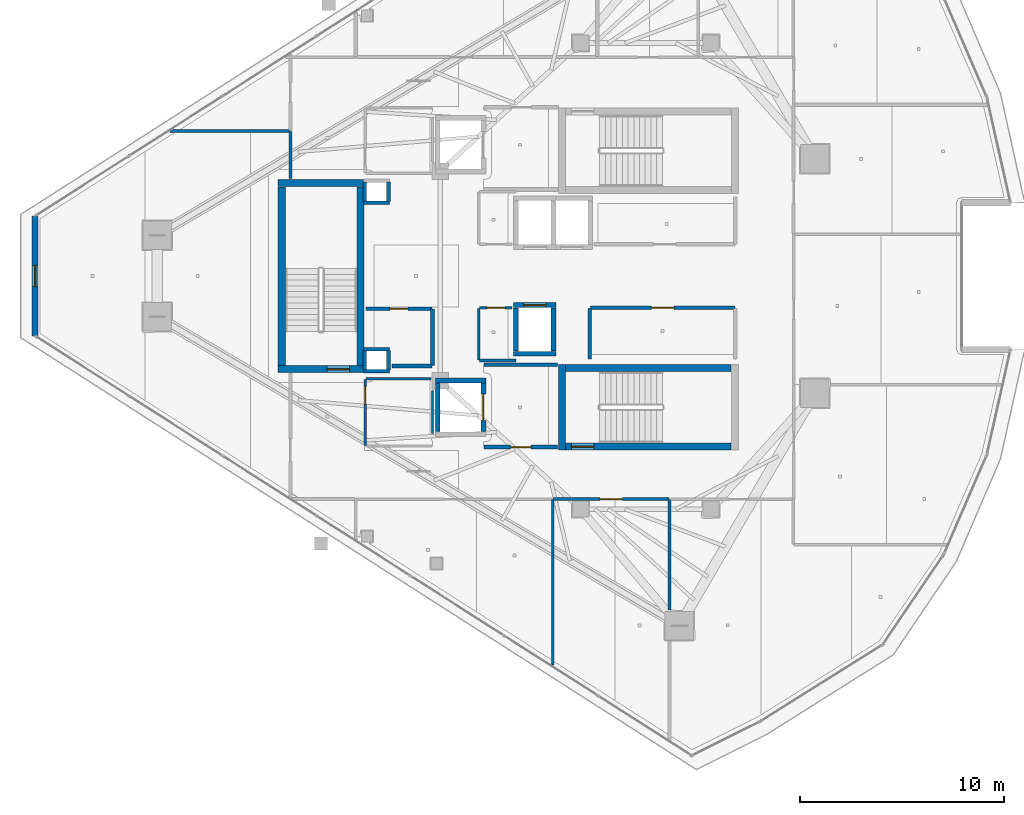
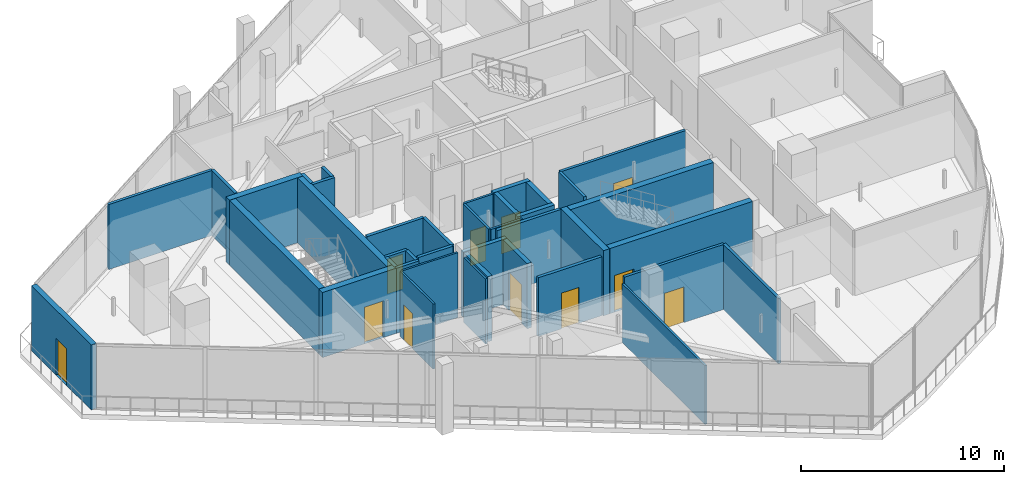
# One storey, part 21 of 30: 40 walls, 11 doors, 11 openings.
"""IFC4 building model written with IfcOpenShell, lengths in metres."""

from ifc_helpers import new_model, si_unit, direction, frame, frame_2d, origin, place, context, subcontext, project, spatial, rectangle, extrude, material, layer, layer_set, type_object, element, fill, save


model = new_model("IFC4")

# Units and contexts
model_context = context("Model", 3, precision=1e-05, world=origin(), true_north=direction((0.0, 1.0)))
body_context = subcontext(model_context, "Body", "Model", "MODEL_VIEW")
ifc_project = project(units=[si_unit("LENGTHUNIT", "METRE"), si_unit("AREAUNIT", "SQUARE_METRE"), si_unit("VOLUMEUNIT", "CUBIC_METRE"), si_unit("PLANEANGLEUNIT", "RADIAN"), si_unit("MASSUNIT", "GRAM", prefix="KILO")], contexts=[model_context])

# Site, building, storey
site_placement = place(None, origin())
site = spatial("IfcSite", under=ifc_project, at=site_placement, CompositionType="ELEMENT")
building_placement = place(site_placement, origin())
building = spatial("IfcBuilding", under=site, at=building_placement, Name="Qorvath Tower", CompositionType="ELEMENT")
storey_placement = place(building_placement, frame((0.0, 0.0, 289.199951171875)))
storey = spatial("IfcBuildingStorey", under=building, at=storey_placement, Name="L67", CompositionType="ELEMENT", Elevation=289.199951171875)

# Walls
ifc_material_1 = material(Name="Gypsum shaftliner on steel studs", Category="steel")
ifc_layer_1 = layer(ifc_material_1, 0.179931640625)
ifc_layer_set_1 = layer_set([ifc_layer_1], Name="FW-LOBBY")
wall_type_1 = type_object("IfcWallType", Name="FW-LOBBY", PredefinedType="PARTITIONING", material=ifc_layer_set_1)
wall_1_placement = place(storey_placement, frame((-32.989990234375, 3.594970703125, 0.0), z_axis=(0.0, 0.0, 1.0), x_axis=(-1.0, 0.0, 0.0)))
element("IfcWall", 1, at=wall_1_placement, inside=storey, type_object=wall_type_1, Name="MEP Riser Shaft Enclosure Wall N-L67-S", PredefinedType="PARTITIONING", context=body_context, shape_type="SweptSolid", body=[
    extrude(rectangle(XDim=1.27001953125, YDim=0.179931640625, at=frame_2d((0.635009765625, 0.0))), origin(), (0.0, 0.0, 1.0), 3.91015625),
])
for number, where, z_axis, x_axis, name in (
    (2, (-34.205078125, 3.659912109375, 0.0), (0.0, 0.0, 1.0), (0.0, 1.0, 0.0), "MEP Riser Shaft Enclosure Wall N-L67-W"),
    (3, (-33.044921875, 4.610107421875, 0.0), (0.0, 0.0, 1.0), (0.0, -1.0, 0.0), "MEP Riser Shaft Enclosure Wall N-L67-E"),
):
    element("IfcWall", number, at=place(storey_placement, frame(where, z_axis=z_axis, x_axis=x_axis)), inside=storey, type_object=wall_type_1, Name=name, PredefinedType="PARTITIONING", context=body_context, shape_type="SweptSolid", body=[
        extrude(rectangle(XDim=0.9501953125, YDim=0.179931640625, at=frame_2d((0.47509765625, 0.0))), origin(), (0.0, 0.0, 1.0), 3.91015625),
    ])
for number, where, z_axis, x_axis, name in (
    (4, (-32.989990234375, -4.675048828125, 0.0), (0.0, 0.0, 1.0), (-1.0, 0.0, 0.0), "MEP Riser Shaft Enclosure Wall S-L67-S"),
    (5, (-34.260009765625, -3.594970703125, 0.0), (0.0, 0.0, 1.0), (1.0, 0.0, 0.0), "MEP Riser Shaft Enclosure Wall S-L67-N"),
):
    element("IfcWall", number, at=place(storey_placement, frame(where, z_axis=z_axis, x_axis=x_axis)), inside=storey, type_object=wall_type_1, Name=name, PredefinedType="PARTITIONING", context=body_context, shape_type="SweptSolid", body=[
        extrude(rectangle(XDim=1.27001953125, YDim=0.179931640625, at=frame_2d((0.635009765625, 0.0))), origin(), (0.0, 0.0, 1.0), 3.91015625),
    ])
for number, where, z_axis, x_axis, name in (
    (6, (-34.205078125, -4.610107421875, 0.0), (0.0, 0.0, 1.0), (0.0, 1.0, 0.0), "MEP Riser Shaft Enclosure Wall S-L67-W"),
    (7, (-33.044921875, -3.659912109375, 0.0), (0.0, 0.0, 1.0), (0.0, -1.0, 0.0), "MEP Riser Shaft Enclosure Wall S-L67-E"),
):
    element("IfcWall", number, at=place(storey_placement, frame(where, z_axis=z_axis, x_axis=x_axis)), inside=storey, type_object=wall_type_1, Name=name, PredefinedType="PARTITIONING", context=body_context, shape_type="SweptSolid", body=[
        extrude(rectangle(XDim=0.9501953125, YDim=0.179931640625, at=frame_2d((0.47509765625, 0.0))), origin(), (0.0, 0.0, 1.0), 3.91015625),
    ])

# Wall, opening, door
wall_2_placement = place(storey_placement, frame((-28.35498046875, -8.39990234375, 0.0), z_axis=(0.0, 0.0, 1.0), x_axis=(1.0, 0.0, 0.0)))
wall_2 = element("IfcWall", 8, at=wall_2_placement, inside=storey, type_object=wall_type_1, Name="Interior Partition IW-T1-L67-003", PredefinedType="PARTITIONING", context=body_context, shape_type="SweptSolid", body=[
    extrude(rectangle(XDim=3.6220703125, YDim=0.179931640625, at=frame_2d((1.81103515625, 0.0))), origin(), (0.0, 0.0, 1.0), 3.529052734375),
])
opening_1_placement = place(wall_2_placement, frame((1.31103515625, 0.0, 0.0)))
opening_1 = element("IfcOpeningElement", 9, at=opening_1_placement, cuts=wall_2, Name="Opening D-T1-L67-21", PredefinedType="OPENING", context=body_context, shape_type="SweptSolid", body=[
    extrude(rectangle(XDim=1.0, YDim=2.14990234375, at=frame_2d((0.5, 1.074951171875))), frame((0.0, 0.10009765625, 0.0), z_axis=(0.0, -1.0, 0.0), x_axis=(1.0, 0.0, 0.0)), (0.0, 0.0, 1.0), 0.199951171875),
])
ifc_material_2 = material(Name="Painted galvanised hollow metal", Category="steel")
door_type_1 = type_object("IfcDoorType", Name="FD-60", OperationType="NOTDEFINED", PredefinedType="DOOR", material=ifc_material_2)
door_1_placement = place(opening_1_placement, origin())
door_1 = element("IfcDoor", 10, at=door_1_placement, inside=storey, type_object=door_type_1, Name="Lobby Fire Service Elevator South Door D-T1-L67-21", OperationType="SINGLE_SWING_LEFT", OverallHeight=2.14990234375, OverallWidth=1.0, PredefinedType="DOOR", context=body_context, shape_type="SweptSolid", body=[
    extrude(rectangle(XDim=1.0, YDim=2.14990234375, at=frame_2d((0.5, 1.074951171875))), frame((0.0, 0.02490234375, 0.0), z_axis=(0.0, -1.0, 0.0), x_axis=(1.0, 0.0, 0.0)), (0.0, 0.0, 1.0), 0.050048828125),
])
fill(opening_1, door_1)

# Walls
wall_3_placement = place(storey_placement, frame((-24.73291015625, -4.35009765625, 0.0), z_axis=(0.0, 0.0, 1.0), x_axis=(-1.0, 0.0, 0.0)))
element("IfcWall", 11, at=wall_3_placement, inside=storey, type_object=wall_type_1, Name="Interior Partition IW-T1-L67-004", PredefinedType="PARTITIONING", context=body_context, shape_type="SweptSolid", body=[
    extrude(rectangle(XDim=3.6220703125, YDim=0.179931640625, at=frame_2d((1.81103515625, 0.0))), origin(), (0.0, 0.0, 1.0), 3.91015625),
])
wall_4_placement = place(storey_placement, frame((-32.8798828125, -4.419921875, 0.0), z_axis=(0.0, 0.0, 1.0), x_axis=(1.0, 0.0, 0.0)))
element("IfcWall", 12, at=wall_4_placement, inside=storey, type_object=wall_type_1, Name="Interior Partition IW-T1-L67-024", PredefinedType="PARTITIONING", context=body_context, shape_type="SweptSolid", body=[
    extrude(rectangle(XDim=1.97509765625, YDim=0.179931640625, at=frame_2d((0.987548828125, 0.0))), origin(), (0.0, 0.0, 1.0), 3.91015625),
])
wall_5_placement = place(storey_placement, frame((-30.8798828125, -4.39501953125, 0.0), z_axis=(0.0, 0.0, 1.0), x_axis=(0.0, 1.0, 0.0)))
element("IfcWall", 13, at=wall_5_placement, inside=storey, type_object=wall_type_1, Name="Interior Partition IW-T1-L67-025", PredefinedType="PARTITIONING", context=body_context, shape_type="SweptSolid", body=[
    extrude(rectangle(XDim=2.77001953125, YDim=0.179931640625, at=frame_2d((1.385009765625, 0.0))), origin(), (0.0, 0.0, 1.0), 3.91015625),
])

# Wall, opening, door
wall_6_placement = place(storey_placement, frame((-30.90478515625, -1.60009765625, 0.0), z_axis=(0.0, 0.0, 1.0), x_axis=(-1.0, 0.0, 0.0)))
wall_6 = element("IfcWall", 14, at=wall_6_placement, inside=storey, type_object=wall_type_1, Name="Interior Partition IW-T1-L67-026", PredefinedType="PARTITIONING", context=body_context, shape_type="SweptSolid", body=[
    extrude(rectangle(XDim=3.25, YDim=0.179931640625, at=frame_2d((1.625, 0.0))), origin(), (0.0, 0.0, 1.0), 3.91015625),
])
opening_2_placement = place(wall_6_placement, frame((1.18505859375, 0.0, 0.0)))
opening_2 = element("IfcOpeningElement", 15, at=opening_2_placement, cuts=wall_6, Name="Opening D-T1-L67-07", PredefinedType="OPENING", context=body_context, shape_type="SweptSolid", body=[
    extrude(rectangle(XDim=0.8798828125, YDim=2.10009765625, at=frame_2d((0.43994140625, 1.050048828125))), frame((0.0, 0.10009765625, 0.0), z_axis=(0.0, -1.0, 0.0), x_axis=(1.0, 0.0, 0.0)), (0.0, 0.0, 1.0), 0.199951171875),
])
ifc_material_3 = material(Name="Painted galvanised hollow metal", Category="steel")
door_type_2 = type_object("IfcDoorType", Name="FD-60N", OperationType="NOTDEFINED", PredefinedType="DOOR", material=ifc_material_3)
door_2_placement = place(opening_2_placement, origin())
door_2 = element("IfcDoor", 16, at=door_2_placement, inside=storey, type_object=door_type_2, Name="Core cleaner and electrical room L67 Door D-T1-L67-07", OperationType="SINGLE_SWING_LEFT", OverallHeight=2.10009765625, OverallWidth=0.8798828125, PredefinedType="DOOR", context=body_context, shape_type="SweptSolid", body=[
    extrude(rectangle(XDim=0.8798828125, YDim=2.10009765625, at=frame_2d((0.43994140625, 1.050048828125))), frame((0.0, 0.02490234375, 0.0), z_axis=(0.0, -1.0, 0.0), x_axis=(1.0, 0.0, 0.0)), (0.0, 0.0, 1.0), 0.050048828125),
])
fill(opening_2, door_2)

# Wall
ifc_material_4 = material(Name="Double acoustic gypsum board on steel studs", Category="steel")
ifc_layer_2 = layer(ifc_material_4, 0.159912109375)
ifc_layer_set_2 = layer_set([ifc_layer_2], Name="IW-ACOUSTIC-160")
wall_type_2 = type_object("IfcWallType", Name="IW-ACOUSTIC-160", PredefinedType="PARTITIONING", material=ifc_layer_set_2)
wall_7_placement = place(storey_placement, frame((-23.14990234375, -1.585205078125, 0.0), z_axis=(0.0, 0.0, 1.0), x_axis=(0.0, -1.0, 0.0)))
element("IfcWall", 17, at=wall_7_placement, inside=storey, type_object=wall_type_2, Name="Interior Partition IW-T1-L67-015", PredefinedType="PARTITIONING", context=body_context, shape_type="SweptSolid", body=[
    extrude(rectangle(XDim=2.489990234375, YDim=0.159912109375, at=frame_2d((1.2451171875, 0.0))), origin(), (0.0, 0.0, 1.0), 3.91015625),
])

# Wall, opening, door
wall_8_placement = place(storey_placement, frame((-16.02490234375, -1.56005859375, 0.0), z_axis=(0.0, 0.0, 1.0), x_axis=(-1.0, 0.0, 0.0)))
wall_8 = element("IfcWall", 18, at=wall_8_placement, inside=storey, type_object=wall_type_2, Name="Interior Partition IW-T1-L67-017", PredefinedType="PARTITIONING", context=body_context, shape_type="SweptSolid", body=[
    extrude(rectangle(XDim=7.10009765625, YDim=0.159912109375, at=frame_2d((3.550048828125, 0.0))), origin(), (0.0, 0.0, 1.0), 3.91015625),
])
opening_3_placement = place(wall_8_placement, frame((3.0, 0.0, 0.0)))
opening_3 = element("IfcOpeningElement", 19, at=opening_3_placement, cuts=wall_8, Name="Opening D-T1-L67-04", PredefinedType="OPENING", context=body_context, shape_type="SweptSolid", body=[
    extrude(rectangle(XDim=1.10009765625, YDim=2.14990234375, at=frame_2d((0.550048828125, 1.074951171875))), frame((0.0, 0.08984375, 0.0), z_axis=(0.0, -1.0, 0.0), x_axis=(1.0, 0.0, 0.0)), (0.0, 0.0, 1.0), 0.179931640625),
])
ifc_material_5 = material(Name="Anodised aluminium acoustic framed glass", Category="aluminium")
door_type_3 = type_object("IfcDoorType", Name="D-03", OperationType="NOTDEFINED", PredefinedType="DOOR", material=ifc_material_5)
door_3_placement = place(opening_3_placement, origin())
door_3 = element("IfcDoor", 20, at=door_3_placement, inside=storey, type_object=door_type_3, Name="L67-RCS South Executive Support Office Door D-T1-L67-04", OperationType="SINGLE_SWING_RIGHT", OverallHeight=2.14990234375, OverallWidth=1.10009765625, PredefinedType="DOOR", context=body_context, shape_type="SweptSolid", body=[
    extrude(rectangle(XDim=1.10009765625, YDim=2.14990234375, at=frame_2d((0.550048828125, 1.074951171875))), frame((0.0, 0.02490234375, 0.0), z_axis=(0.0, -1.0, 0.0), x_axis=(1.0, 0.0, 0.0)), (0.0, 0.0, 1.0), 0.050048828125),
])
fill(opening_3, door_3)

wall_9_placement = place(storey_placement, frame((-19.2578125, -10.9580078125, 0.0), z_axis=(0.0, 0.0, 1.0), x_axis=(-1.0, 0.0, 0.0)))
wall_9 = element("IfcWall", 21, at=wall_9_placement, inside=storey, type_object=wall_type_2, Name="Interior Partition IW-T1-L67-038", PredefinedType="PARTITIONING", context=body_context, shape_type="SweptSolid", body=[
    extrude(rectangle(XDim=5.683349609375, YDim=0.159912109375, at=frame_2d((2.841796875, 0.0))), origin(), (0.0, 0.0, 1.0), 3.91015625),
])
opening_4_placement = place(wall_9_placement, frame((2.291748046875, 0.0, 0.0)))
opening_4 = element("IfcOpeningElement", 22, at=opening_4_placement, cuts=wall_9, Name="Opening D-T1-L67-12", PredefinedType="OPENING", context=body_context, shape_type="SweptSolid", body=[
    extrude(rectangle(XDim=1.10009765625, YDim=2.14990234375, at=frame_2d((0.550048828125, 1.074951171875))), frame((0.0, 0.08984375, 0.0), z_axis=(0.0, -1.0, 0.0), x_axis=(1.0, 0.0, 0.0)), (0.0, 0.0, 1.0), 0.179931640625),
])
door_4_placement = place(opening_4_placement, origin())
door_4 = element("IfcDoor", 23, at=door_4_placement, inside=storey, type_object=door_type_3, Name="L67-05 Digital Visualization Suite Door D-T1-L67-12", OperationType="SINGLE_SWING_RIGHT", OverallHeight=2.14990234375, OverallWidth=1.10009765625, PredefinedType="DOOR", context=body_context, shape_type="SweptSolid", body=[
    extrude(rectangle(XDim=1.10009765625, YDim=2.14990234375, at=frame_2d((0.550048828125, 1.074951171875))), frame((0.0, 0.02490234375, 0.0), z_axis=(0.0, -1.0, 0.0), x_axis=(1.0, 0.0, 0.0)), (0.0, 0.0, 1.0), 0.050048828125),
])
fill(opening_4, door_4)

# Walls
wall_10_placement = place(storey_placement, frame((-19.232666015625, -16.41064453125, 0.0), z_axis=(0.0, 0.0, 1.0), x_axis=(0.0, 1.0, 0.0)))
element("IfcWall", 24, at=wall_10_placement, inside=storey, type_object=wall_type_2, Name="Interior Partition IW-T1-L67-040", PredefinedType="PARTITIONING", context=body_context, shape_type="SweptSolid", body=[
    extrude(rectangle(XDim=5.427734375, YDim=0.159912109375, at=frame_2d((2.7138671875, 0.0))), origin(), (0.0, 0.0, 1.0), 3.91015625),
])
wall_11_placement = place(storey_placement, frame((-37.85791015625, 4.783203125, 0.0), z_axis=(0.0, 0.0, 1.0), x_axis=(0.0, 1.0, 0.0)))
element("IfcWall", 25, at=wall_11_placement, inside=storey, type_object=wall_type_2, Name="Interior Partition IW-T1-L67-053", PredefinedType="PARTITIONING", context=body_context, shape_type="SweptSolid", body=[
    extrude(rectangle(XDim=2.31884765625, YDim=0.159912109375, at=frame_2d((1.159423828125, 0.0))), origin(), (0.0, 0.0, 1.0), 3.91015625),
])
wall_12_placement = place(storey_placement, frame((-37.8828125, 7.126953125, 0.0), z_axis=(0.0, 0.0, 1.0), x_axis=(-0.999999930776, -0.000372085306, 0.0)))
element("IfcWall", 26, at=wall_12_placement, inside=storey, type_object=wall_type_2, Name="Interior Partition IW-T1-L67-054", PredefinedType="PARTITIONING", context=body_context, shape_type="SweptSolid", body=[
    extrude(rectangle(XDim=5.9052734375, YDim=0.159912109375, at=frame_2d((2.95263671875, 0.0))), origin(), (0.0, 0.0, 1.0), 3.91015625),
])
ifc_material_6 = material(Name="Gypsum board on metal studs with mineral wool", Category="gypsum")
ifc_layer_3 = layer(ifc_material_6, 0.125)
ifc_layer_set_3 = layer_set([ifc_layer_3], Name="IW-PART-125")
wall_type_3 = type_object("IfcWallType", Name="IW-PART-125", PredefinedType="PARTITIONING", material=ifc_layer_set_3)
wall_13_placement = place(storey_placement, frame((-28.60009765625, -1.585205078125, 0.0), z_axis=(0.0, 0.0, 1.0), x_axis=(0.0, -1.0, 0.0)))
element("IfcWall", 27, at=wall_13_placement, inside=storey, type_object=wall_type_3, Name="Interior Partition IW-T1-L67-021", PredefinedType="PARTITIONING", context=body_context, shape_type="SweptSolid", body=[
    extrude(rectangle(XDim=2.539794921875, YDim=0.125, at=frame_2d((1.27001953125, 0.0))), origin(), (0.0, 0.0, 1.0), 3.91015625),
])
wall_14_placement = place(storey_placement, frame((-28.5751953125, -4.14990234375, 0.0), z_axis=(0.0, 0.0, 1.0), x_axis=(1.0, 0.0, 0.0)))
element("IfcWall", 28, at=wall_14_placement, inside=storey, type_object=wall_type_3, Name="Interior Partition IW-T1-L67-022", PredefinedType="PARTITIONING", context=body_context, shape_type="SweptSolid", body=[
    extrude(rectangle(XDim=1.80029296875, YDim=0.125, at=frame_2d((0.900146484375, 0.0))), origin(), (0.0, 0.0, 1.0), 3.91015625),
])

# Wall, opening, door
wall_15_placement = place(storey_placement, frame((-26.966064453125, -1.56005859375, 0.0), z_axis=(0.0, 0.0, 1.0), x_axis=(-1.0, 0.0, 0.0)))
wall_15 = element("IfcWall", 29, at=wall_15_placement, inside=storey, type_object=wall_type_3, Name="Interior Partition IW-T1-L67-023", PredefinedType="PARTITIONING", context=body_context, shape_type="SweptSolid", body=[
    extrude(rectangle(XDim=1.609130859375, YDim=0.125, at=frame_2d((0.8046875, 0.0))), origin(), (0.0, 0.0, 1.0), 3.91015625),
])
opening_5_placement = place(wall_15_placement, frame((0.364501953125, 0.0, 0.0)))
opening_5 = element("IfcOpeningElement", 30, at=opening_5_placement, cuts=wall_15, Name="Opening D-T1-L67-06", PredefinedType="OPENING", context=body_context, shape_type="SweptSolid", body=[
    extrude(rectangle(XDim=0.8798828125, YDim=2.10009765625, at=frame_2d((0.43994140625, 1.050048828125))), frame((0.0, 0.072509765625, 0.0), z_axis=(0.0, -1.0, 0.0), x_axis=(1.0, 0.0, 0.0)), (0.0, 0.0, 1.0), 0.14501953125),
])
ifc_material_7 = material(Name="Solid-core oak with acoustic drop seal", Category="wood")
door_type_4 = type_object("IfcDoorType", Name="D-02", OperationType="NOTDEFINED", PredefinedType="DOOR", material=ifc_material_7)
door_5_placement = place(opening_5_placement, origin())
door_5 = element("IfcDoor", 31, at=door_5_placement, inside=storey, type_object=door_type_4, Name="L67-RCWS Executive Archive Suite Door D-T1-L67-06", OperationType="SINGLE_SWING_RIGHT", OverallHeight=2.10009765625, OverallWidth=0.8798828125, PredefinedType="DOOR", context=body_context, shape_type="SweptSolid", body=[
    extrude(rectangle(XDim=0.8798828125, YDim=2.10009765625, at=frame_2d((0.43994140625, 1.050048828125))), frame((0.0, 0.02490234375, 0.0), z_axis=(0.0, -1.0, 0.0), x_axis=(1.0, 0.0, 0.0)), (0.0, 0.0, 1.0), 0.050048828125),
])
fill(opening_5, door_5)

# Walls
wall_16_placement = place(storey_placement, frame((-24.97412109375, -19.120361328125, 0.0), z_axis=(0.0, 0.0, 1.0), x_axis=(0.0, 1.0, 0.0)))
element("IfcWall", 32, at=wall_16_placement, inside=storey, type_object=wall_type_3, Name="Interior Partition IW-T1-L67-037", PredefinedType="PARTITIONING", context=body_context, shape_type="SweptSolid", body=[
    extrude(rectangle(XDim=8.137451171875, YDim=0.125, at=frame_2d((4.06884765625, 0.0))), origin(), (0.0, 0.0, 1.0), 3.529052734375),
])
ifc_material_8 = material(Name="Moisture-resistant cement board on metal studs", Category="gypsum")
ifc_layer_4 = layer(ifc_material_8, 0.110107421875)
ifc_layer_set_4 = layer_set([ifc_layer_4], Name="IW-WC-110")
wall_type_4 = type_object("IfcWallType", Name="IW-WC-110", PredefinedType="PARTITIONING", material=ifc_layer_set_4)
wall_17_placement = place(storey_placement, frame((-30.8798828125, -7.742919921875, 0.0), z_axis=(0.0, 0.0, 1.0), x_axis=(0.0, 1.0, 0.0)))
element("IfcWall", 33, at=wall_17_placement, inside=storey, type_object=wall_type_4, Name="Interior Partition IW-T1-L67-010", PredefinedType="PARTITIONING", context=body_context, shape_type="SweptSolid", body=[
    extrude(rectangle(XDim=2.1279296875, YDim=0.110107421875, at=frame_2d((1.06396484375, 0.0))), origin(), (0.0, 0.0, 1.0), 3.91015625),
])
wall_18_placement = place(storey_placement, frame((-30.965087890625, -5.050048828125, 0.0), z_axis=(0.0, 0.0, 1.0), x_axis=(-1.0, 0.0, 0.0)))
element("IfcWall", 34, at=wall_18_placement, inside=storey, type_object=wall_type_4, Name="Interior Partition IW-T1-L67-011", PredefinedType="PARTITIONING", context=body_context, shape_type="SweptSolid", body=[
    extrude(rectangle(XDim=3.189697265625, YDim=0.110107421875, at=frame_2d((1.5947265625, 0.0))), origin(), (0.0, 0.0, 1.0), 3.91015625),
])

# Wall, opening, door
wall_19_placement = place(storey_placement, frame((-34.179931640625, -5.074951171875, 0.0), z_axis=(0.0, 0.0, 1.0), x_axis=(0.0, -1.0, 0.0)))
wall_19 = element("IfcWall", 35, at=wall_19_placement, inside=storey, type_object=wall_type_4, Name="Interior Partition IW-T1-L67-012", PredefinedType="PARTITIONING", context=body_context, shape_type="SweptSolid", body=[
    extrude(rectangle(XDim=3.250244140625, YDim=0.110107421875, at=frame_2d((1.625, 0.0))), origin(), (0.0, 0.0, 1.0), 3.91015625),
])
opening_6_placement = place(wall_19_placement, frame((0.340087890625, 0.0, 0.0)))
opening_6 = element("IfcOpeningElement", 36, at=opening_6_placement, cuts=wall_19, Name="Opening D-T1-L67-02", PredefinedType="OPENING", context=body_context, shape_type="SweptSolid", body=[
    extrude(rectangle(XDim=0.8798828125, YDim=2.10009765625, at=frame_2d((0.43994140625, 1.050048828125))), frame((0.0, 0.06494140625, 0.0), z_axis=(0.0, -1.0, 0.0), x_axis=(1.0, 0.0, 0.0)), (0.0, 0.0, 1.0), 0.130126953125),
])
door_6_placement = place(opening_6_placement, origin())
door_6 = element("IfcDoor", 37, at=door_6_placement, inside=storey, type_object=door_type_4, Name="WC All-Gender South L67 Door D-T1-L67-02", OperationType="SINGLE_SWING_RIGHT", OverallHeight=2.10009765625, OverallWidth=0.8798828125, PredefinedType="DOOR", context=body_context, shape_type="SweptSolid", body=[
    extrude(rectangle(XDim=0.8798828125, YDim=2.10009765625, at=frame_2d((0.43994140625, 1.050048828125))), frame((0.0, 0.02490234375, 0.0), z_axis=(0.0, -1.0, 0.0), x_axis=(1.0, 0.0, 0.0)), (0.0, 0.0, 1.0), 0.050048828125),
])
fill(opening_6, door_6)

# Walls
ifc_material_9 = material(Name="Concrete C60/75", Category="concrete")
ifc_layer_5 = layer(ifc_material_9, 0.260009765625)
ifc_layer_set_5 = layer_set([ifc_layer_5], Name="SW-SHAFT")
wall_type_5 = type_object("IfcWallType", Name="SW-SHAFT", PredefinedType="SHEAR", material=ifc_layer_set_5)
wall_20_placement = place(storey_placement, frame((-30.739990234375, -5.1298828125, 0.0), z_axis=(0.0, 0.0, 1.0), x_axis=(1.0, 0.0, 0.0)))
element("IfcWall", 38, at=wall_20_placement, inside=storey, type_object=wall_type_5, Name="Hoistway Wall FSAE-2 L67 N", PredefinedType="SHEAR", context=body_context, shape_type="SweptSolid", body=[
    extrude(rectangle(XDim=2.47998046875, YDim=0.239990234375, at=frame_2d((1.239990234375, 0.0))), origin(), (0.0, 0.0, 1.0), 3.91015625),
])
wall_21_placement = place(storey_placement, frame((-30.6201171875, -7.637939453125, 0.0), z_axis=(0.0, 0.0, 1.0), x_axis=(0.0, 1.0, 0.0)))
element("IfcWall", 39, at=wall_21_placement, inside=storey, type_object=wall_type_5, Name="Hoistway Wall FSAE-2 L67 W", PredefinedType="SHEAR", context=body_context, shape_type="SweptSolid", body=[
    extrude(rectangle(XDim=2.3759765625, YDim=0.239990234375, at=frame_2d((1.18798828125, 0.0))), origin(), (0.0, 0.0, 1.0), 3.91015625),
])

# Wall, opening, door
wall_22_placement = place(storey_placement, frame((-28.3798828125, -5.261962890625, 0.0), z_axis=(0.0, 0.0, 1.0), x_axis=(0.0, -1.0, 0.0)))
wall_22 = element("IfcWall", 40, at=wall_22_placement, inside=storey, type_object=wall_type_5, Name="Hoistway Wall FSAE-2 L67 E", PredefinedType="SHEAR", context=body_context, shape_type="SweptSolid", body=[
    extrude(rectangle(XDim=2.3759765625, YDim=0.239990234375, at=frame_2d((1.18798828125, 0.0))), origin(), (0.0, 0.0, 1.0), 3.91015625),
])
opening_7_placement = place(wall_22_placement, frame((0.5380859375, 0.0, 0.0)))
opening_7 = element("IfcOpeningElement", 41, at=opening_7_placement, cuts=wall_22, Name="Opening LD-FSAE-2-L67", PredefinedType="OPENING", context=body_context, shape_type="SweptSolid", body=[
    extrude(rectangle(XDim=1.300048828125, YDim=2.300048828125, at=frame_2d((0.64990234375, 1.14990234375))), frame((0.0, 0.1298828125, 0.0), z_axis=(0.0, -1.0, 0.0), x_axis=(1.0, 0.0, 0.0)), (0.0, 0.0, 1.0), 0.260009765625),
])
ifc_material_10 = material(Name="Brushed stainless steel AISI 316", Category="steel")
door_type_5 = type_object("IfcDoorType", Name="LD-02", OperationType="NOTDEFINED", PredefinedType="DOOR", material=ifc_material_10)
door_7_placement = place(opening_7_placement, origin())
door_7 = element("IfcDoor", 42, at=door_7_placement, inside=storey, type_object=door_type_5, Name="Elevator Landing Sliding Door LD-FSAE-2-L67", OperationType="DOUBLE_DOOR_SLIDING", OverallHeight=2.300048828125, OverallWidth=1.300048828125, PredefinedType="DOOR", context=body_context, shape_type="SweptSolid", body=[
    extrude(rectangle(XDim=1.300048828125, YDim=2.300048828125, at=frame_2d((0.64990234375, 1.14990234375))), frame((0.0, 0.02490234375, 0.0), z_axis=(0.0, -1.0, 0.0), x_axis=(1.0, 0.0, 0.0)), (0.0, 0.0, 1.0), 0.050048828125),
])
fill(opening_7, door_7)

# Wall
wall_23_placement = place(storey_placement, frame((-24.81005859375, -3.820068359375, 0.0), z_axis=(0.0, 0.0, 1.0), x_axis=(-1.0, 0.0, 0.0)))
element("IfcWall", 43, at=wall_23_placement, inside=storey, type_object=wall_type_5, Name="Hoistway Wall PH-3 L67 S", PredefinedType="SHEAR", context=body_context, shape_type="SweptSolid", body=[
    extrude(rectangle(XDim=2.079833984375, YDim=0.239990234375, at=frame_2d((1.0400390625, 0.0))), origin(), (0.0, 0.0, 1.0), 3.91015625),
])

# Wall, opening, door
wall_24_placement = place(storey_placement, frame((-26.889892578125, -1.429931640625, 0.0), z_axis=(0.0, 0.0, 1.0), x_axis=(1.0, 0.0, 0.0)))
wall_24 = element("IfcWall", 44, at=wall_24_placement, inside=storey, type_object=wall_type_5, Name="Hoistway Wall PH-3 L67 N", PredefinedType="SHEAR", context=body_context, shape_type="SweptSolid", body=[
    extrude(rectangle(XDim=2.079833984375, YDim=0.239990234375, at=frame_2d((1.0400390625, 0.0))), origin(), (0.0, 0.0, 1.0), 3.91015625),
])
opening_8_placement = place(wall_24_placement, frame((0.48974609375, 0.0, 0.0)))
opening_8 = element("IfcOpeningElement", 45, at=opening_8_placement, cuts=wall_24, Name="Opening LD-PH-3-L67", PredefinedType="OPENING", context=body_context, shape_type="SweptSolid", body=[
    extrude(rectangle(XDim=1.10009765625, YDim=2.199951171875, at=frame_2d((0.550048828125, 1.10009765625))), frame((0.0, 0.1298828125, 0.0), z_axis=(0.0, -1.0, 0.0), x_axis=(1.0, 0.0, 0.0)), (0.0, 0.0, 1.0), 0.260009765625),
])
ifc_material_11 = material(Name="Brushed stainless steel AISI 316", Category="steel")
door_type_6 = type_object("IfcDoorType", Name="LD-01", OperationType="NOTDEFINED", PredefinedType="DOOR", material=ifc_material_11)
door_8_placement = place(opening_8_placement, origin())
door_8 = element("IfcDoor", 46, at=door_8_placement, inside=storey, type_object=door_type_6, Name="Elevator Landing Sliding Door LD-PH-3-L67", OperationType="DOUBLE_DOOR_SLIDING", OverallHeight=2.199951171875, OverallWidth=1.10009765625, PredefinedType="DOOR", context=body_context, shape_type="SweptSolid", body=[
    extrude(rectangle(XDim=1.10009765625, YDim=2.199951171875, at=frame_2d((0.550048828125, 1.10009765625))), frame((0.0, 0.02490234375, 0.0), z_axis=(0.0, -1.0, 0.0), x_axis=(1.0, 0.0, 0.0)), (0.0, 0.0, 1.0), 0.050048828125),
])
fill(opening_8, door_8)

# Walls
for number, where, z_axis, x_axis, name in (
    (47, (-26.77001953125, -3.68798828125, 0.0), (0.0, 0.0, 1.0), (0.0, 1.0, 0.0), "Hoistway Wall PH-3 L67 W"),
    (48, (-24.929931640625, -1.56201171875, 0.0), (0.0, 0.0, 1.0), (0.0, -1.0, 0.0), "Hoistway Wall PH-3 L67 E"),
):
    element("IfcWall", number, at=place(storey_placement, frame(where, z_axis=z_axis, x_axis=x_axis)), inside=storey, type_object=wall_type_5, Name=name, PredefinedType="SHEAR", context=body_context, shape_type="SweptSolid", body=[
        extrude(rectangle(XDim=2.1259765625, YDim=0.239990234375, at=frame_2d((1.06298828125, 0.0))), origin(), (0.0, 0.0, 1.0), 3.91015625),
    ])
ifc_material_12 = material(Name="Concrete C60/75", Category="concrete")
ifc_layer_6 = layer(ifc_material_12, 0.35009765625)
ifc_layer_set_6 = layer_set([ifc_layer_6], Name="SW-STAIR")
wall_type_6 = type_object("IfcWallType", Name="SW-STAIR", PredefinedType="SHEAR", material=ifc_layer_set_6)
wall_25_placement = place(storey_placement, frame((-24.52490234375, -4.340087890625, 0.0), z_axis=(0.0, 0.0, 1.0), x_axis=(0.0, -1.0, 0.0)))
element("IfcWall", 49, at=wall_25_placement, inside=storey, type_object=wall_type_6, Name="Stair TS2 Shear Wall L67 NEAR", PredefinedType="SHEAR", context=body_context, shape_type="SweptSolid", body=[
    extrude(rectangle(XDim=4.2099609375, YDim=0.35009765625, at=frame_2d((2.10498046875, 0.0))), origin(), (0.0, 0.0, 1.0), 3.91015625),
])

# Wall, opening, door
wall_26_placement = place(storey_placement, frame((-24.3349609375, -8.375, 0.0), z_axis=(0.0, 0.0, 1.0), x_axis=(1.0, 0.0, 0.0)))
wall_26 = element("IfcWall", 50, at=wall_26_placement, inside=storey, type_object=wall_type_6, Name="Stair TS2 Shear Wall L67 LEFT", PredefinedType="SHEAR", context=body_context, shape_type="SweptSolid", body=[
    extrude(rectangle(XDim=8.119873046875, YDim=0.35009765625, at=frame_2d((4.06005859375, 0.0))), origin(), (0.0, 0.0, 1.0), 3.91015625),
])
opening_9_placement = place(wall_26_placement, frame((0.280029296875, 0.0, 0.0)))
opening_9 = element("IfcOpeningElement", 51, at=opening_9_placement, cuts=wall_26, Name="Opening D-TS2-L67", PredefinedType="OPENING", context=body_context, shape_type="SweptSolid", body=[
    extrude(rectangle(XDim=1.10009765625, YDim=2.199951171875, at=frame_2d((0.550048828125, 1.10009765625))), frame((0.0, 0.18505859375, 0.0), z_axis=(0.0, -1.0, 0.0), x_axis=(1.0, 0.0, 0.0)), (0.0, 0.0, 1.0), 0.3701171875),
])
ifc_material_13 = material(Name="Painted galvanised hollow metal", Category="steel")
door_type_7 = type_object("IfcDoorType", Name="FD-90", OperationType="NOTDEFINED", PredefinedType="DOOR", material=ifc_material_13)
door_9_placement = place(opening_9_placement, origin())
door_9 = element("IfcDoor", 52, at=door_9_placement, inside=storey, type_object=door_type_7, Name="Stair TS2 Fire Door L67", OperationType="SINGLE_SWING_RIGHT", OverallHeight=2.199951171875, OverallWidth=1.10009765625, PredefinedType="DOOR", context=body_context, shape_type="SweptSolid", body=[
    extrude(rectangle(XDim=1.10009765625, YDim=2.199951171875, at=frame_2d((0.550048828125, 1.10009765625))), frame((0.0, 0.02490234375, 0.0), z_axis=(0.0, -1.0, 0.0), x_axis=(1.0, 0.0, 0.0)), (0.0, 0.0, 1.0), 0.050048828125),
])
fill(opening_9, door_9)

# Wall
wall_27_placement = place(storey_placement, frame((-16.215087890625, -4.514892578125, 0.0), z_axis=(0.0, 0.0, 1.0), x_axis=(-1.0, 0.0, 0.0)))
element("IfcWall", 53, at=wall_27_placement, inside=storey, type_object=wall_type_6, Name="Stair TS2 Shear Wall L67 RIGHT", PredefinedType="SHEAR", context=body_context, shape_type="SweptSolid", body=[
    extrude(rectangle(XDim=8.119873046875, YDim=0.35009765625, at=frame_2d((4.06005859375, 0.0))), origin(), (0.0, 0.0, 1.0), 3.91015625),
])

# Wall, opening, door
wall_28_placement = place(storey_placement, frame((-38.4599609375, -4.574951171875, 0.0), z_axis=(0.0, 0.0, 1.0), x_axis=(1.0, 0.0, 0.0)))
wall_28 = element("IfcWall", 54, at=wall_28_placement, inside=storey, type_object=wall_type_6, Name="Stair TS3 Shear Wall L67 NEAR", PredefinedType="SHEAR", context=body_context, shape_type="SweptSolid", body=[
    extrude(rectangle(XDim=4.2099609375, YDim=0.35009765625, at=frame_2d((2.10498046875, 0.0))), origin(), (0.0, 0.0, 1.0), 3.91015625),
])
opening_10_placement = place(wall_28_placement, frame((2.389892578125, 0.0, 0.0)))
opening_10 = element("IfcOpeningElement", 55, at=opening_10_placement, cuts=wall_28, Name="Opening D-TS3-L67", PredefinedType="OPENING", context=body_context, shape_type="SweptSolid", body=[
    extrude(rectangle(XDim=1.10009765625, YDim=2.199951171875, at=frame_2d((0.550048828125, 1.10009765625))), frame((0.0, 0.18505859375, 0.0), z_axis=(0.0, -1.0, 0.0), x_axis=(1.0, 0.0, 0.0)), (0.0, 0.0, 1.0), 0.3701171875),
])
door_10_placement = place(opening_10_placement, origin())
door_10 = element("IfcDoor", 56, at=door_10_placement, inside=storey, type_object=door_type_7, Name="Stair TS3 Fire Door L67", OperationType="SINGLE_SWING_RIGHT", OverallHeight=2.199951171875, OverallWidth=1.10009765625, PredefinedType="DOOR", context=body_context, shape_type="SweptSolid", body=[
    extrude(rectangle(XDim=1.10009765625, YDim=2.199951171875, at=frame_2d((0.550048828125, 1.10009765625))), frame((0.0, 0.02490234375, 0.0), z_axis=(0.0, -1.0, 0.0), x_axis=(1.0, 0.0, 0.0)), (0.0, 0.0, 1.0), 0.050048828125),
])
fill(opening_10, door_10)

# Walls
wall_29_placement = place(storey_placement, frame((-34.25, 4.574951171875, 0.0), z_axis=(0.0, 0.0, 1.0), x_axis=(-1.0, 0.0, 0.0)))
element("IfcWall", 57, at=wall_29_placement, inside=storey, type_object=wall_type_6, Name="Stair TS3 Shear Wall L67 FAR", PredefinedType="SHEAR", context=body_context, shape_type="SweptSolid", body=[
    extrude(rectangle(XDim=4.2099609375, YDim=0.35009765625, at=frame_2d((2.10498046875, 0.0))), origin(), (0.0, 0.0, 1.0), 3.91015625),
])
for number, where, z_axis, x_axis, name in (
    (58, (-34.425048828125, -4.385009765625, 0.0), (0.0, 0.0, 1.0), (0.0, 1.0, 0.0), "Stair TS3 Shear Wall L67 LEFT"),
    (59, (-38.284912109375, 4.385009765625, 0.0), (0.0, 0.0, 1.0), (0.0, -1.0, 0.0), "Stair TS3 Shear Wall L67 RIGHT"),
):
    element("IfcWall", number, at=place(storey_placement, frame(where, z_axis=z_axis, x_axis=x_axis)), inside=storey, type_object=wall_type_6, Name=name, PredefinedType="SHEAR", context=body_context, shape_type="SweptSolid", body=[
        extrude(rectangle(XDim=8.77001953125, YDim=0.35009765625, at=frame_2d((4.385009765625, 0.0))), origin(), (0.0, 0.0, 1.0), 3.91015625),
    ])

# Wall, opening, door
ifc_material_14 = material(Name="Precast concrete C45/55", Category="concrete")
ifc_layer_7 = layer(ifc_material_14, 0.300048828125)
ifc_layer_set_7 = layer_set([ifc_layer_7], Name="WL-EW-LOG-300")
wall_type_7 = type_object("IfcWallType", Name="WL-EW-LOG-300", PredefinedType="SOLIDWALL", material=ifc_layer_set_7)
wall_30_placement = place(storey_placement, frame((-50.40673828125, -2.945556640625, 0.0), z_axis=(0.0, 0.0, 1.0), x_axis=(0.0, 1.0, 0.0)))
wall_30 = element("IfcWall", 60, at=wall_30_placement, inside=storey, type_object=wall_type_7, Name="Tower Precast Loggia Wall L67-1.1", PredefinedType="SOLIDWALL", context=body_context, shape_type="SweptSolid", body=[
    extrude(rectangle(XDim=5.89111328125, YDim=0.300048828125, at=frame_2d((2.945556640625, 0.0))), origin(), (0.0, 0.0, 1.0), 3.91015625),
])
opening_11_placement = place(wall_30_placement, frame((2.420654296875, 0.0, 0.0)))
opening_11 = element("IfcOpeningElement", 61, at=opening_11_placement, cuts=wall_30, Name="Opening ED-L67-01", PredefinedType="OPENING", context=body_context, shape_type="SweptSolid", body=[
    extrude(rectangle(XDim=1.050048828125, YDim=2.199951171875, at=frame_2d((0.52490234375, 1.10009765625))), frame((0.0, 0.16015625, 0.0), z_axis=(0.0, -1.0, 0.0), x_axis=(1.0, 0.0, 0.0)), (0.0, 0.0, 1.0), 0.320068359375),
])
ifc_material_15 = material(Name="Thermally broken aluminium glazed door", Category="aluminium")
door_type_8 = type_object("IfcDoorType", Name="ED-LOG", OperationType="NOTDEFINED", PredefinedType="DOOR", material=ifc_material_15)
door_11_placement = place(opening_11_placement, origin())
door_11 = element("IfcDoor", 62, at=door_11_placement, inside=storey, type_object=door_type_8, Name="L67 Recessed Loggia Access Door 1", OperationType="SINGLE_SWING_LEFT", OverallHeight=2.199951171875, OverallWidth=1.050048828125, PredefinedType="DOOR", context=body_context, shape_type="SweptSolid", body=[
    extrude(rectangle(XDim=1.050048828125, YDim=2.199951171875, at=frame_2d((0.52490234375, 1.10009765625))), frame((0.0, 0.02490234375, 0.0), z_axis=(0.0, -1.0, 0.0), x_axis=(1.0, 0.0, 0.0)), (0.0, 0.0, 1.0), 0.050048828125),
])
fill(opening_11, door_11)

save(model, "model.ifc")
